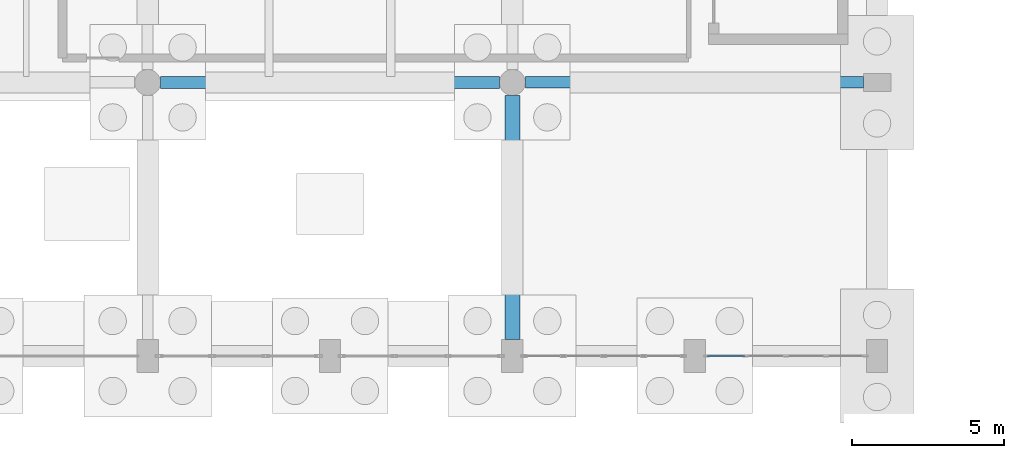
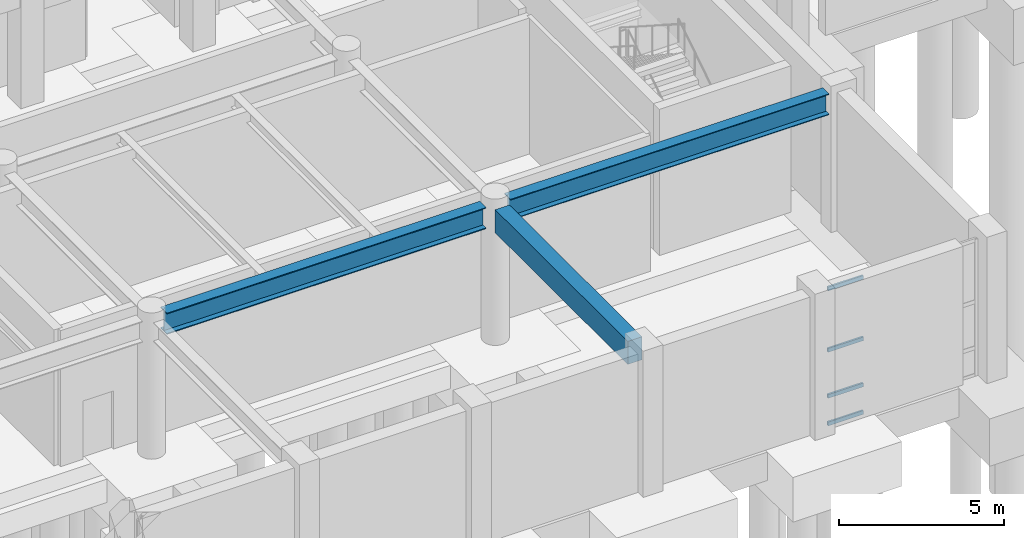
# One storey, part 34 of 69: 4 members, 3 beams, 1 element without a shape of its own.
"""IFC4 building model written with IfcOpenShell, lengths in metres."""

from ifc_helpers import new_model, si_unit, direction, frame, origin, origin_2d, place, context, subcontext, project, spatial, rectangle, hollow_rectangle, i_section, extrude, material, layer, layer_set, material_profile, profile_set, type_object, element, aggregate, save


model = new_model("IFC4")

# Units and contexts
model_context = context("Model", 3, precision=1e-05, world=origin(), true_north=direction((0.0, 1.0)))
body_context = subcontext(model_context, "Body", "Model", "MODEL_VIEW")
ifc_project = project(units=[si_unit("LENGTHUNIT", "METRE"), si_unit("AREAUNIT", "SQUARE_METRE"), si_unit("VOLUMEUNIT", "CUBIC_METRE"), si_unit("PLANEANGLEUNIT", "RADIAN"), si_unit("MASSUNIT", "GRAM", prefix="KILO")], contexts=[model_context])

# Site, building, storey
site_placement = place(None, origin())
site = spatial("IfcSite", under=ifc_project, at=site_placement, CompositionType="ELEMENT")
building_placement = place(site_placement, origin())
building = spatial("IfcBuilding", under=site, at=building_placement, Name="Vaelkrest Opera House", CompositionType="ELEMENT")
storey_placement = place(building_placement, frame((0.0, 0.0, -5.39990234375)))
storey = spatial("IfcBuildingStorey", under=building, at=storey_placement, Name="B1", CompositionType="ELEMENT", Elevation=-5.39990234375)

# Beams
ifc_material_1 = material(Name="Concrete C50/60", Category="concrete")
ifc_material_profile_1 = material_profile(ifc_material_1, rectangle(XDim=0.5, YDim=0.85009765625, at=origin_2d()), Name="RCB500X850")
ifc_profile_set_1 = profile_set([ifc_material_profile_1], Name="Concrete C50/60")
beam_type_1 = type_object("IfcBeamType", Name="B03", PredefinedType="BEAM", material=ifc_profile_set_1)
beam_1_placement = place(storey_placement, frame((18.0, -55.25, 4.635009765625), z_axis=(0.0, 1.0, 0.0), x_axis=(-1.0, 0.0, 0.0)))
element("IfcBeam", 1, at=beam_1_placement, inside=storey, type_object=beam_type_1, Name="Beam BM-V1-B1-0056", PredefinedType="BEAM", context=body_context, shape_type="SweptSolid", body=[
    extrude(rectangle(XDim=0.5, YDim=0.85009765625, at=origin_2d()), origin(), (0.0, 0.0, 1.0), 8.02490234375),
])
ifc_material_2 = material(Name="Steel A992 Gr50", Category="steel")
ifc_material_profile_2 = material_profile(ifc_material_2, i_section(OverallWidth=0.381103515625, OverallDepth=0.77294921875, WebThickness=0.0166015625, FlangeThickness=0.027099609375, at=origin_2d()), Name="W30X173")
ifc_profile_set_2 = profile_set([ifc_material_profile_2], Name="Steel A992 Gr50")
beam_type_2 = type_object("IfcBeamType", Name="B11", PredefinedType="BEAM", material=ifc_profile_set_2)
beam_2_placement = place(storey_placement, frame((18.425048828125, -46.800048828125, 4.67333984375), z_axis=(1.0, 0.0, 0.0), x_axis=(0.0, 1.0, 0.0)))
element("IfcBeam", 2, at=beam_2_placement, inside=storey, type_object=beam_type_2, Name="Beam BM-V1-B1-0005", PredefinedType="BEAM", context=body_context, shape_type="SweptSolid", body=[
    extrude(i_section(OverallWidth=0.381103515625, OverallDepth=0.77294921875, WebThickness=0.0166015625, FlangeThickness=0.027099609375, at=origin_2d()), origin(), (0.0, 0.0, 1.0), 11.125),
])
ifc_material_profile_3 = material_profile(ifc_material_2, i_section(OverallWidth=0.384033203125, OverallDepth=0.785888671875, WebThickness=0.019775390625, FlangeThickness=0.033447265625, at=origin_2d()), Name="W30X211")
ifc_profile_set_3 = profile_set([ifc_material_profile_3], Name="Steel A992 Gr50")
beam_type_3 = type_object("IfcBeamType", Name="B16", PredefinedType="BEAM", material=ifc_profile_set_3)
beam_3_placement = place(storey_placement, frame((6.425048828125, -46.800048828125, 4.6669921875), z_axis=(1.0, 0.0, 0.0), x_axis=(0.0, 1.0, 0.0)))
element("IfcBeam", 3, at=beam_3_placement, inside=storey, type_object=beam_type_3, Name="Beam BM-V1-B1-0004", PredefinedType="BEAM", context=body_context, shape_type="SweptSolid", body=[
    extrude(i_section(OverallWidth=0.384033203125, OverallDepth=0.785888671875, WebThickness=0.019775390625, FlangeThickness=0.033447265625, at=origin_2d()), origin(), (0.0, 0.0, 1.0), 11.14990234375),
])

# Curtain wall, members
ifc_material_3 = material(Name="Dark bronze anodized aluminium", Category="aluminium")
ifc_layer = layer(ifc_material_3, 0.179931640625)
ifc_layer_set = layer_set([ifc_layer], Name="Dark bronze anodized aluminium")
curtain_wall_type = type_object("IfcCurtainWallType", Name="CW01", PredefinedType="NOTDEFINED", material=ifc_layer_set)
curtain_wall_placement = place(storey_placement, origin())
curtain_wall = element("IfcCurtainWall", 4, at=curtain_wall_placement, inside=storey, type_object=curtain_wall_type, Name="Curtain wall CW-B1-001", PredefinedType="NOTDEFINED")
ifc_material_profile_4 = material_profile(ifc_material_3, hollow_rectangle(XDim=0.06494140625, YDim=0.139892578125, WallThickness=0.00390625, at=origin_2d()), Name="CWT65X140")
ifc_profile_set_4 = profile_set([ifc_material_profile_4], Name="Dark bronze anodized aluminium")
member_type = type_object("IfcMemberType", Name="CWT01", PredefinedType="USERDEFINED", material=ifc_profile_set_4)
member_1_placement = place(storey_placement, frame((25.6416015625, -55.800048828125, 0.032470703125), z_axis=(-1.0, 0.0, 0.0), x_axis=(0.0, -1.0, 0.0)))
member_1 = element("IfcMember", 5, at=member_1_placement, type_object=member_type, Name="CW01 transom 4.1", ObjectType="TRANSOM", PredefinedType="USERDEFINED", context=body_context, shape_type="SweptSolid", body=[
    extrude(hollow_rectangle(XDim=0.06494140625, YDim=0.139892578125, WallThickness=0.00390625, at=origin_2d()), origin(), (0.0, 0.0, 1.0), 1.228515625),
])
member_2_placement = place(storey_placement, frame((25.6416015625, -55.800048828125, 1.0498046875), z_axis=(-1.0, 0.0, 0.0), x_axis=(0.0, -1.0, 0.0)))
member_2 = element("IfcMember", 6, at=member_2_placement, type_object=member_type, Name="CW01 transom 4.2", ObjectType="TRANSOM", PredefinedType="USERDEFINED", context=body_context, shape_type="SweptSolid", body=[
    extrude(hollow_rectangle(XDim=0.06494140625, YDim=0.139892578125, WallThickness=0.00390625, at=origin_2d()), origin(), (0.0, 0.0, 1.0), 1.228515625),
])
member_3_placement = place(storey_placement, frame((25.6416015625, -55.800048828125, 2.75), z_axis=(-1.0, 0.0, 0.0), x_axis=(0.0, -1.0, 0.0)))
member_3 = element("IfcMember", 7, at=member_3_placement, type_object=member_type, Name="CW01 transom 4.3", ObjectType="TRANSOM", PredefinedType="USERDEFINED", context=body_context, shape_type="SweptSolid", body=[
    extrude(hollow_rectangle(XDim=0.06494140625, YDim=0.139892578125, WallThickness=0.00390625, at=origin_2d()), origin(), (0.0, 0.0, 1.0), 1.228515625),
])
member_4_placement = place(storey_placement, frame((25.6416015625, -55.800048828125, 5.017333984375), z_axis=(-1.0, 0.0, 0.0), x_axis=(0.0, -1.0, 0.0)))
member_4 = element("IfcMember", 8, at=member_4_placement, type_object=member_type, Name="CW01 transom 4.4", ObjectType="TRANSOM", PredefinedType="USERDEFINED", context=body_context, shape_type="SweptSolid", body=[
    extrude(hollow_rectangle(XDim=0.06494140625, YDim=0.139892578125, WallThickness=0.00390625, at=origin_2d()), origin(), (0.0, 0.0, 1.0), 1.228515625),
])
aggregate(curtain_wall, [member_1, member_2, member_3, member_4])

save(model, "model.ifc")
